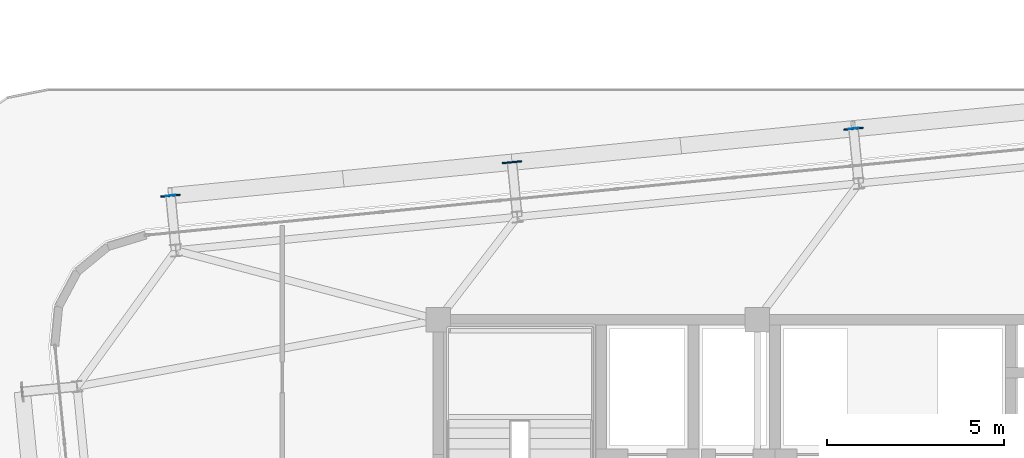
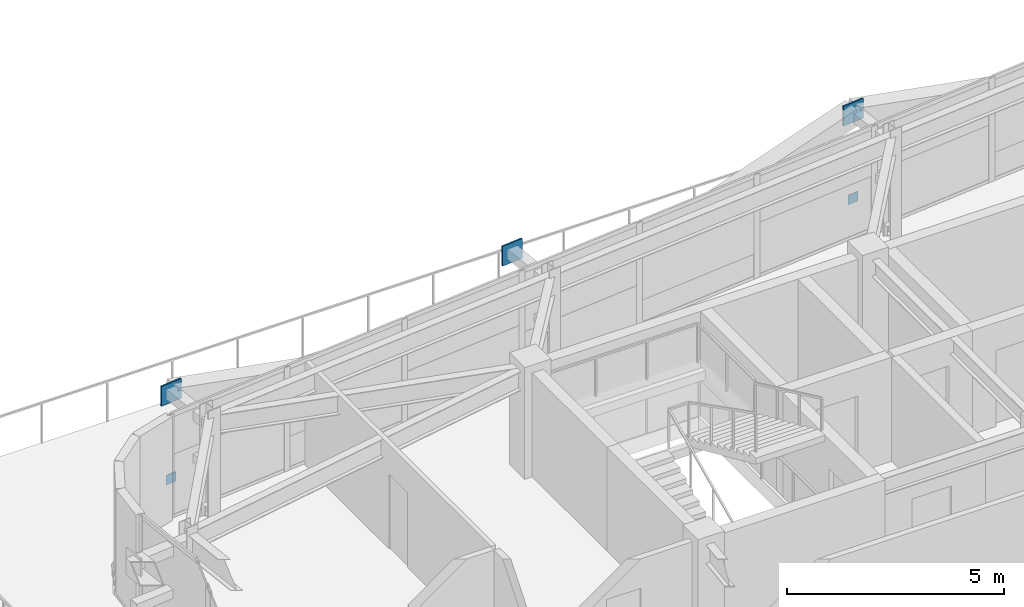
# One storey, part 41 of 51: 5 plates.
"""IFC4 building model written with IfcOpenShell, lengths in metres."""

from ifc_helpers import new_model, si_unit, direction, frame, origin, origin_2d, place, context, subcontext, project, spatial, rectangle, extrude, source, transform, mapped, material, layer, layer_set, type_object, element, save


model = new_model("IFC4")

# Units and contexts
model_context = context("Model", 3, precision=1e-05, world=origin(), true_north=direction((0.0, 1.0)))
body_context = subcontext(model_context, "Body", "Model", "MODEL_VIEW")
ifc_project = project(units=[si_unit("LENGTHUNIT", "METRE"), si_unit("AREAUNIT", "SQUARE_METRE"), si_unit("VOLUMEUNIT", "CUBIC_METRE"), si_unit("PLANEANGLEUNIT", "RADIAN"), si_unit("MASSUNIT", "GRAM", prefix="KILO")], contexts=[model_context])

# Site, building, storey
site_placement = place(None, origin())
site = spatial("IfcSite", under=ifc_project, at=site_placement, CompositionType="ELEMENT")
building_placement = place(site_placement, origin())
building = spatial("IfcBuilding", under=site, at=building_placement, Name="Taldren Reach Tower", CompositionType="ELEMENT")
storey_placement = place(building_placement, frame((0.0, 0.0, 65.10009765625)))
storey = spatial("IfcBuildingStorey", under=building, at=storey_placement, Name="L19", CompositionType="ELEMENT", Elevation=65.10009765625)

# Plates
ifc_material = material(Name="Steel Gr 450 (C450L0)", Category="steel")
ifc_layer_1 = layer(ifc_material, 0.0400390625)
ifc_layer_set_1 = layer_set([ifc_layer_1], Name="Steel Gr 450 (C450L0)")
plate_type_1 = type_object("IfcPlateType", Name="PL-GUSSET-40", PredefinedType="SHEET", material=ifc_layer_set_1)
shared_shape_1 = source(origin(), body_context, "Body", "SweptSolid", [
    extrude(rectangle(XDim=0.56005859375, YDim=0.0400390625, at=origin_2d()), origin(), (0.0, 0.0, 1.0), 0.56005859375),
])
for number, where, z_axis, x_axis, name in (
    (1, (11.445556640625, 35.49951171875, 2.369873046875), (0.0, 0.0, 1.0), (0.995227399982, 0.097582899759, 0.0), "Exoskeleton star-node gusset plate B2-N1 L19"),
    (2, (21.079345703125, 36.444091796875, 2.369873046875), (0.0, 0.0, 1.0), (0.995227399982, 0.097582899759, 0.0), "Exoskeleton star-node gusset plate B2-N2 L19"),
    (3, (30.713134765625, 37.388671875, 2.369873046875), (0.0, 0.0, 1.0), (0.995227399982, 0.097582899759, 0.0), "Exoskeleton star-node gusset plate B2-N3 L19"),
):
    element("IfcPlate", number, at=place(storey_placement, frame(where, z_axis=z_axis, x_axis=x_axis)), inside=storey, type_object=plate_type_1, Name=name, PredefinedType="SHEET", context=body_context, shape_type="MappedRepresentation", body=[
        mapped(shared_shape_1, transform((0.0, 0.0, 0.0), scale=1.0)),
    ])
ifc_layer_2 = layer(ifc_material, 0.011962890625)
ifc_layer_set_2 = layer_set([ifc_layer_2], Name="Steel Gr 450 (C450L0)")
plate_type_2 = type_object("IfcPlateType", Name="PL-CAP-275", PredefinedType="SHEET", material=ifc_layer_set_2)
shared_shape_2 = source(origin(), body_context, "Body", "SweptSolid", [
    extrude(rectangle(XDim=0.27490234375, YDim=0.011962890625, at=origin_2d()), origin(), (0.0, 0.0, 1.0), 0.27490234375),
])
for number, where, z_axis, x_axis, name in (
    (4, (11.445068359375, 35.50537109375, 0.08251953125), (0.0, 0.0, 1.0), (0.995227399982, 0.097582899759, 0.0), "Tie strut end cap plate B2-N1 L19"),
    (5, (30.712646484375, 37.394775390625, 0.08251953125), (0.0, 0.0, 1.0), (0.995227399982, 0.097582899759, 0.0), "Tie strut end cap plate B2-N3 L19"),
):
    element("IfcPlate", number, at=place(storey_placement, frame(where, z_axis=z_axis, x_axis=x_axis)), inside=storey, type_object=plate_type_2, Name=name, PredefinedType="SHEET", context=body_context, shape_type="MappedRepresentation", body=[
        mapped(shared_shape_2, transform((0.0, 0.0, 0.0), scale=1.0)),
    ])

save(model, "model.ifc")
